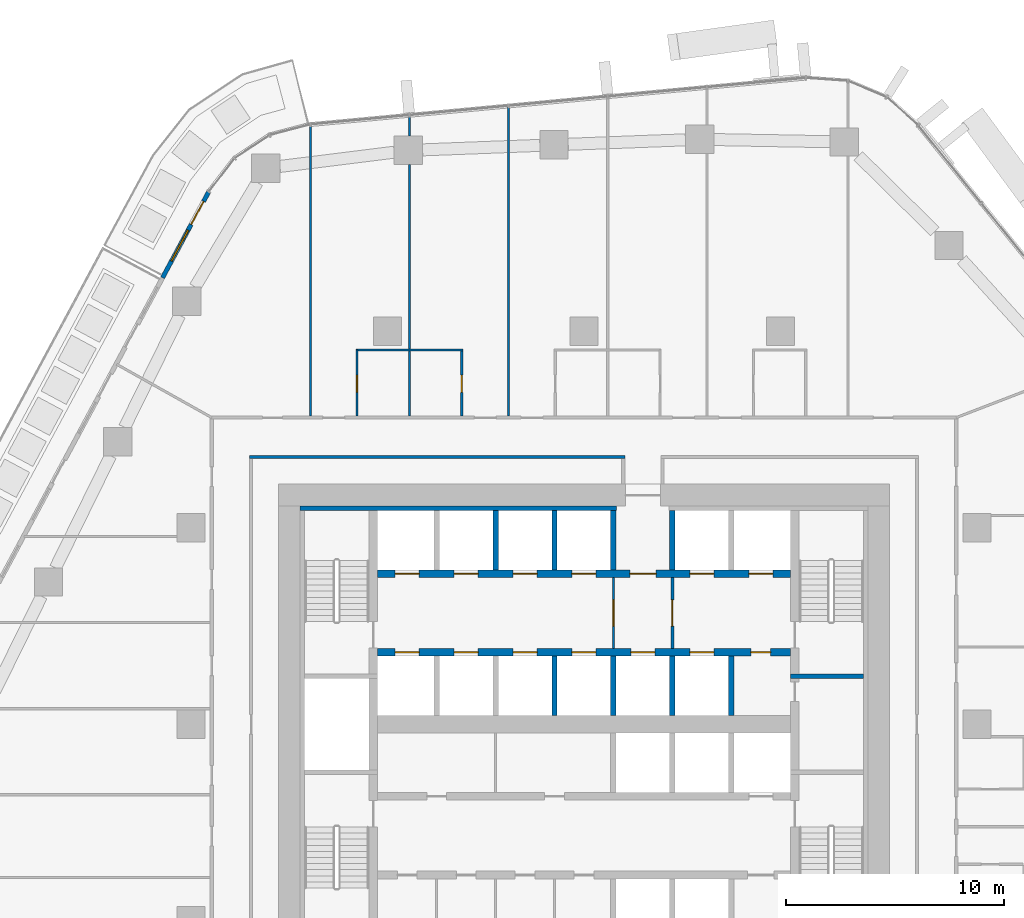
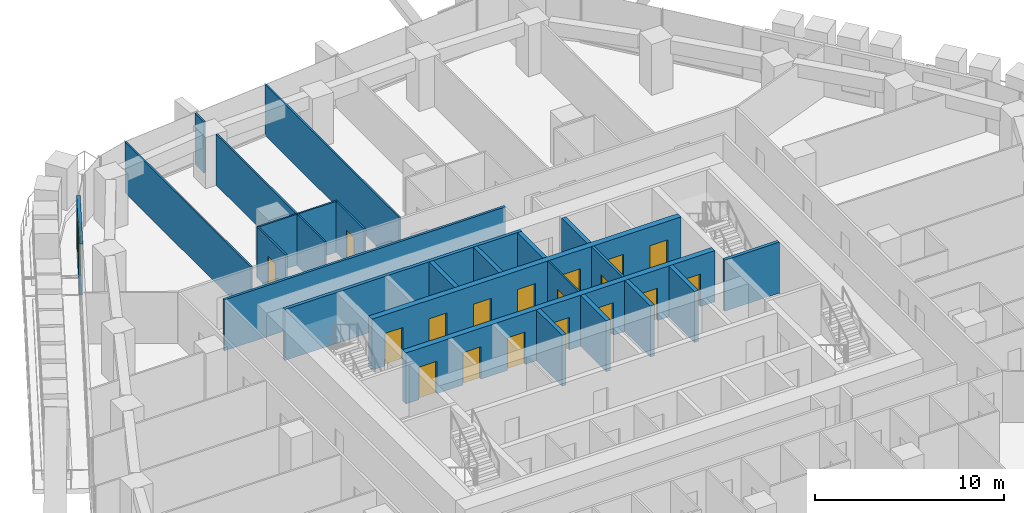
# One storey, part 15 of 23: 24 walls, 19 doors, 1 window, 20 openings.
"""IFC4 building model written with IfcOpenShell, lengths in metres."""

from ifc_helpers import new_model, si_unit, direction, frame, frame_2d, origin, place, context, subcontext, project, spatial, rectangle, extrude, material, layer, layer_set, type_object, element, fill, save


model = new_model("IFC4")

# Units and contexts
model_context = context("Model", 3, precision=1e-05, world=origin(), true_north=direction((0.0, 1.0)))
body_context = subcontext(model_context, "Body", "Model", "MODEL_VIEW")
ifc_project = project(units=[si_unit("LENGTHUNIT", "METRE"), si_unit("AREAUNIT", "SQUARE_METRE"), si_unit("VOLUMEUNIT", "CUBIC_METRE"), si_unit("PLANEANGLEUNIT", "RADIAN"), si_unit("MASSUNIT", "GRAM", prefix="KILO")], contexts=[model_context])

# Site, building, storey
site_placement = place(None, origin())
site = spatial("IfcSite", under=ifc_project, at=site_placement, CompositionType="ELEMENT")
building_placement = place(site_placement, origin())
building = spatial("IfcBuilding", under=site, at=building_placement, Name="Dongbaek Canopy Tower", CompositionType="ELEMENT")
storey_placement = place(building_placement, frame((0.0, 0.0, 121.10009765625)))
storey = spatial("IfcBuildingStorey", under=building, at=storey_placement, Name="L26", CompositionType="ELEMENT", Elevation=121.10009765625)

# Wall, openings, doors
ifc_material_1 = material(Name="Concrete C60/75", Category="concrete")
ifc_layer_1 = layer(ifc_material_1, 0.35009765625)
ifc_layer_set_1 = layer_set([ifc_layer_1], Name="Core lobby wall 350 Concrete C60/75")
wall_type_1 = type_object("IfcWallType", Name="Core lobby wall 350 Concrete C60/75", PredefinedType="SHEAR", material=ifc_layer_set_1)
wall_1_placement = place(storey_placement, frame((-9.449951171875, 6.89990234375, 0.0), z_axis=(0.0, 0.0, 1.0), x_axis=(1.0, 0.0, 0.0)))
wall_1 = element("IfcWall", 1, at=wall_1_placement, inside=storey, type_object=wall_type_1, Name="Core wall", PredefinedType="SHEAR", context=body_context, shape_type="SweptSolid", body=[
    extrude(rectangle(XDim=18.89990234375, YDim=0.35009765625, at=frame_2d((9.449951171875, 0.0))), origin(), (0.0, 0.0, 1.0), 3.2998046875),
])
opening_1_placement = place(wall_1_placement, frame((0.800048828125, 0.0, 0.0)))
opening_1 = element("IfcOpeningElement", 2, at=opening_1_placement, cuts=wall_1, Name="Opening L26-D044", PredefinedType="OPENING", context=body_context, shape_type="SweptSolid", body=[
    extrude(rectangle(XDim=1.10009765625, YDim=2.10009765625, at=frame_2d((0.550048828125, 1.050048828125))), frame((0.0, 0.18505859375, 0.0), z_axis=(0.0, -1.0, 0.0), x_axis=(1.0, 0.0, 0.0)), (0.0, 0.0, 1.0), 0.3701171875),
])
opening_2_placement = place(wall_1_placement, frame((3.5, 0.0, 0.0)))
opening_2 = element("IfcOpeningElement", 3, at=opening_2_placement, cuts=wall_1, Name="Opening L26-D045", PredefinedType="OPENING", context=body_context, shape_type="SweptSolid", body=[
    extrude(rectangle(XDim=1.10009765625, YDim=2.10009765625, at=frame_2d((0.550048828125, 1.050048828125))), frame((0.0, 0.18505859375, 0.0), z_axis=(0.0, -1.0, 0.0), x_axis=(1.0, 0.0, 0.0)), (0.0, 0.0, 1.0), 0.3701171875),
])
opening_3_placement = place(wall_1_placement, frame((6.199951171875, 0.0, 0.0)))
opening_3 = element("IfcOpeningElement", 4, at=opening_3_placement, cuts=wall_1, Name="Opening L26-D046", PredefinedType="OPENING", context=body_context, shape_type="SweptSolid", body=[
    extrude(rectangle(XDim=1.10009765625, YDim=2.10009765625, at=frame_2d((0.550048828125, 1.050048828125))), frame((0.0, 0.18505859375, 0.0), z_axis=(0.0, -1.0, 0.0), x_axis=(1.0, 0.0, 0.0)), (0.0, 0.0, 1.0), 0.3701171875),
])
opening_4_placement = place(wall_1_placement, frame((8.89990234375, 0.0, 0.0)))
opening_4 = element("IfcOpeningElement", 5, at=opening_4_placement, cuts=wall_1, Name="Opening L26-D047", PredefinedType="OPENING", context=body_context, shape_type="SweptSolid", body=[
    extrude(rectangle(XDim=1.10009765625, YDim=2.10009765625, at=frame_2d((0.550048828125, 1.050048828125))), frame((0.0, 0.18505859375, 0.0), z_axis=(0.0, -1.0, 0.0), x_axis=(1.0, 0.0, 0.0)), (0.0, 0.0, 1.0), 0.3701171875),
])
opening_5_placement = place(wall_1_placement, frame((11.550048828125, 0.0, 0.0)))
opening_5 = element("IfcOpeningElement", 6, at=opening_5_placement, cuts=wall_1, Name="Opening L26-D049", PredefinedType="OPENING", context=body_context, shape_type="SweptSolid", body=[
    extrude(rectangle(XDim=1.199951171875, YDim=2.10009765625, at=frame_2d((0.60009765625, 1.050048828125))), frame((0.0, 0.18505859375, 0.0), z_axis=(0.0, -1.0, 0.0), x_axis=(1.0, 0.0, 0.0)), (0.0, 0.0, 1.0), 0.3701171875),
])
opening_6_placement = place(wall_1_placement, frame((14.300048828125, 0.0, 0.0)))
opening_6 = element("IfcOpeningElement", 7, at=opening_6_placement, cuts=wall_1, Name="Opening L26-D050", PredefinedType="OPENING", context=body_context, shape_type="SweptSolid", body=[
    extrude(rectangle(XDim=1.10009765625, YDim=2.10009765625, at=frame_2d((0.550048828125, 1.050048828125))), frame((0.0, 0.18505859375, 0.0), z_axis=(0.0, -1.0, 0.0), x_axis=(1.0, 0.0, 0.0)), (0.0, 0.0, 1.0), 0.3701171875),
])
opening_7_placement = place(wall_1_placement, frame((17.0, 0.0, 0.0)))
opening_7 = element("IfcOpeningElement", 8, at=opening_7_placement, cuts=wall_1, Name="Opening L26-D051", PredefinedType="OPENING", context=body_context, shape_type="SweptSolid", body=[
    extrude(rectangle(XDim=1.10009765625, YDim=2.10009765625, at=frame_2d((0.550048828125, 1.050048828125))), frame((0.0, 0.18505859375, 0.0), z_axis=(0.0, -1.0, 0.0), x_axis=(1.0, 0.0, 0.0)), (0.0, 0.0, 1.0), 0.3701171875),
])
ifc_material_2 = material(Name="Steel", Category="steel")
door_type_1 = type_object("IfcDoorType", Name="Fire lobby door 1200 x 2100", OperationType="SINGLE_SWING_LEFT", PredefinedType="DOOR", material=ifc_material_2)
door_1_placement = place(opening_5_placement, origin())
door_1 = element("IfcDoor", 9, at=door_1_placement, inside=storey, type_object=door_type_1, Name="Door L26-D049", OperationType="SINGLE_SWING_LEFT", OverallHeight=2.10009765625, OverallWidth=1.199951171875, PredefinedType="DOOR", context=body_context, shape_type="SweptSolid", body=[
    extrude(rectangle(XDim=1.199951171875, YDim=2.10009765625, at=frame_2d((0.60009765625, 1.050048828125))), frame((0.0, 0.02490234375, 0.0), z_axis=(0.0, -1.0, 0.0), x_axis=(1.0, 0.0, 0.0)), (0.0, 0.0, 1.0), 0.050048828125),
])
fill(opening_5, door_1)
ifc_material_3 = material(Name="Stainless steel", Category="steel")
door_type_2 = type_object("IfcDoorType", Name="Lift landing door 1100 x 2100", OperationType="DOUBLE_DOOR_SLIDING", PredefinedType="DOOR", material=ifc_material_3)
door_2_placement = place(opening_1_placement, origin())
door_2 = element("IfcDoor", 10, at=door_2_placement, inside=storey, type_object=door_type_2, Name="Landing door LR1", OperationType="DOUBLE_DOOR_SLIDING", OverallHeight=2.10009765625, OverallWidth=1.10009765625, PredefinedType="DOOR", context=body_context, shape_type="SweptSolid", body=[
    extrude(rectangle(XDim=1.10009765625, YDim=2.10009765625, at=frame_2d((0.550048828125, 1.050048828125))), frame((0.0, 0.02490234375, 0.0), z_axis=(0.0, -1.0, 0.0), x_axis=(1.0, 0.0, 0.0)), (0.0, 0.0, 1.0), 0.050048828125),
])
fill(opening_1, door_2)
door_3_placement = place(opening_2_placement, origin())
door_3 = element("IfcDoor", 11, at=door_3_placement, inside=storey, type_object=door_type_2, Name="Landing door LR2", OperationType="DOUBLE_DOOR_SLIDING", OverallHeight=2.10009765625, OverallWidth=1.10009765625, PredefinedType="DOOR", context=body_context, shape_type="SweptSolid", body=[
    extrude(rectangle(XDim=1.10009765625, YDim=2.10009765625, at=frame_2d((0.550048828125, 1.050048828125))), frame((0.0, 0.02490234375, 0.0), z_axis=(0.0, -1.0, 0.0), x_axis=(1.0, 0.0, 0.0)), (0.0, 0.0, 1.0), 0.050048828125),
])
fill(opening_2, door_3)
door_4_placement = place(opening_3_placement, origin())
door_4 = element("IfcDoor", 12, at=door_4_placement, inside=storey, type_object=door_type_2, Name="Landing door LR3", OperationType="DOUBLE_DOOR_SLIDING", OverallHeight=2.10009765625, OverallWidth=1.10009765625, PredefinedType="DOOR", context=body_context, shape_type="SweptSolid", body=[
    extrude(rectangle(XDim=1.10009765625, YDim=2.10009765625, at=frame_2d((0.550048828125, 1.050048828125))), frame((0.0, 0.02490234375, 0.0), z_axis=(0.0, -1.0, 0.0), x_axis=(1.0, 0.0, 0.0)), (0.0, 0.0, 1.0), 0.050048828125),
])
fill(opening_3, door_4)
door_5_placement = place(opening_4_placement, origin())
door_5 = element("IfcDoor", 13, at=door_5_placement, inside=storey, type_object=door_type_2, Name="Landing door LR4", OperationType="DOUBLE_DOOR_SLIDING", OverallHeight=2.10009765625, OverallWidth=1.10009765625, PredefinedType="DOOR", context=body_context, shape_type="SweptSolid", body=[
    extrude(rectangle(XDim=1.10009765625, YDim=2.10009765625, at=frame_2d((0.550048828125, 1.050048828125))), frame((0.0, 0.02490234375, 0.0), z_axis=(0.0, -1.0, 0.0), x_axis=(1.0, 0.0, 0.0)), (0.0, 0.0, 1.0), 0.050048828125),
])
fill(opening_4, door_5)
door_6_placement = place(opening_6_placement, origin())
door_6 = element("IfcDoor", 14, at=door_6_placement, inside=storey, type_object=door_type_2, Name="Landing door FF1", OperationType="DOUBLE_DOOR_SLIDING", OverallHeight=2.10009765625, OverallWidth=1.10009765625, PredefinedType="DOOR", context=body_context, shape_type="SweptSolid", body=[
    extrude(rectangle(XDim=1.10009765625, YDim=2.10009765625, at=frame_2d((0.550048828125, 1.050048828125))), frame((0.0, 0.02490234375, 0.0), z_axis=(0.0, -1.0, 0.0), x_axis=(1.0, 0.0, 0.0)), (0.0, 0.0, 1.0), 0.050048828125),
])
fill(opening_6, door_6)
door_7_placement = place(opening_7_placement, origin())
door_7 = element("IfcDoor", 15, at=door_7_placement, inside=storey, type_object=door_type_2, Name="Landing door FF2", OperationType="DOUBLE_DOOR_SLIDING", OverallHeight=2.10009765625, OverallWidth=1.10009765625, PredefinedType="DOOR", context=body_context, shape_type="SweptSolid", body=[
    extrude(rectangle(XDim=1.10009765625, YDim=2.10009765625, at=frame_2d((0.550048828125, 1.050048828125))), frame((0.0, 0.02490234375, 0.0), z_axis=(0.0, -1.0, 0.0), x_axis=(1.0, 0.0, 0.0)), (0.0, 0.0, 1.0), 0.050048828125),
])
fill(opening_7, door_7)

wall_2_placement = place(storey_placement, frame((9.449951171875, 3.300048828125, 0.0), z_axis=(0.0, 0.0, 1.0), x_axis=(-1.0, 0.0, 0.0)))
wall_2 = element("IfcWall", 16, at=wall_2_placement, inside=storey, type_object=wall_type_1, Name="Core wall", PredefinedType="SHEAR", context=body_context, shape_type="SweptSolid", body=[
    extrude(rectangle(XDim=18.89990234375, YDim=0.35009765625, at=frame_2d((9.449951171875, 0.0))), origin(), (0.0, 0.0, 1.0), 3.2998046875),
])
opening_8_placement = place(wall_2_placement, frame((17.0, 0.0, 0.0)))
opening_8 = element("IfcOpeningElement", 17, at=opening_8_placement, cuts=wall_2, Name="Opening L26-D052", PredefinedType="OPENING", context=body_context, shape_type="SweptSolid", body=[
    extrude(rectangle(XDim=1.10009765625, YDim=2.10009765625, at=frame_2d((0.550048828125, 1.050048828125))), frame((0.0, 0.18505859375, 0.0), z_axis=(0.0, -1.0, 0.0), x_axis=(1.0, 0.0, 0.0)), (0.0, 0.0, 1.0), 0.3701171875),
])
opening_9_placement = place(wall_2_placement, frame((14.300048828125, 0.0, 0.0)))
opening_9 = element("IfcOpeningElement", 18, at=opening_9_placement, cuts=wall_2, Name="Opening L26-D053", PredefinedType="OPENING", context=body_context, shape_type="SweptSolid", body=[
    extrude(rectangle(XDim=1.10009765625, YDim=2.10009765625, at=frame_2d((0.550048828125, 1.050048828125))), frame((0.0, 0.18505859375, 0.0), z_axis=(0.0, -1.0, 0.0), x_axis=(1.0, 0.0, 0.0)), (0.0, 0.0, 1.0), 0.3701171875),
])
opening_10_placement = place(wall_2_placement, frame((11.60009765625, 0.0, 0.0)))
opening_10 = element("IfcOpeningElement", 19, at=opening_10_placement, cuts=wall_2, Name="Opening L26-D054", PredefinedType="OPENING", context=body_context, shape_type="SweptSolid", body=[
    extrude(rectangle(XDim=1.10009765625, YDim=2.10009765625, at=frame_2d((0.550048828125, 1.050048828125))), frame((0.0, 0.18505859375, 0.0), z_axis=(0.0, -1.0, 0.0), x_axis=(1.0, 0.0, 0.0)), (0.0, 0.0, 1.0), 0.3701171875),
])
opening_11_placement = place(wall_2_placement, frame((8.89990234375, 0.0, 0.0)))
opening_11 = element("IfcOpeningElement", 20, at=opening_11_placement, cuts=wall_2, Name="Opening L26-D055", PredefinedType="OPENING", context=body_context, shape_type="SweptSolid", body=[
    extrude(rectangle(XDim=1.10009765625, YDim=2.10009765625, at=frame_2d((0.550048828125, 1.050048828125))), frame((0.0, 0.18505859375, 0.0), z_axis=(0.0, -1.0, 0.0), x_axis=(1.0, 0.0, 0.0)), (0.0, 0.0, 1.0), 0.3701171875),
])
opening_12_placement = place(wall_2_placement, frame((6.199951171875, 0.0, 0.0)))
opening_12 = element("IfcOpeningElement", 21, at=opening_12_placement, cuts=wall_2, Name="Opening L26-D056", PredefinedType="OPENING", context=body_context, shape_type="SweptSolid", body=[
    extrude(rectangle(XDim=1.10009765625, YDim=2.10009765625, at=frame_2d((0.550048828125, 1.050048828125))), frame((0.0, 0.18505859375, 0.0), z_axis=(0.0, -1.0, 0.0), x_axis=(1.0, 0.0, 0.0)), (0.0, 0.0, 1.0), 0.3701171875),
])
opening_13_placement = place(wall_2_placement, frame((3.5, 0.0, 0.0)))
opening_13 = element("IfcOpeningElement", 22, at=opening_13_placement, cuts=wall_2, Name="Opening L26-D057", PredefinedType="OPENING", context=body_context, shape_type="SweptSolid", body=[
    extrude(rectangle(XDim=1.10009765625, YDim=2.10009765625, at=frame_2d((0.550048828125, 1.050048828125))), frame((0.0, 0.18505859375, 0.0), z_axis=(0.0, -1.0, 0.0), x_axis=(1.0, 0.0, 0.0)), (0.0, 0.0, 1.0), 0.3701171875),
])
opening_14_placement = place(wall_2_placement, frame((0.89990234375, 0.0, 0.0)))
opening_14 = element("IfcOpeningElement", 23, at=opening_14_placement, cuts=wall_2, Name="Opening L26-D058", PredefinedType="OPENING", context=body_context, shape_type="SweptSolid", body=[
    extrude(rectangle(XDim=0.89990234375, YDim=2.10009765625, at=frame_2d((0.449951171875, 1.050048828125))), frame((0.0, 0.18505859375, 0.0), z_axis=(0.0, -1.0, 0.0), x_axis=(1.0, 0.0, 0.0)), (0.0, 0.0, 1.0), 0.3701171875),
])
ifc_material_4 = material(Name="Steel", Category="steel")
door_type_3 = type_object("IfcDoorType", Name="Core room door 900 x 2100", OperationType="SINGLE_SWING_LEFT", PredefinedType="DOOR", material=ifc_material_4)
door_8_placement = place(opening_14_placement, origin())
door_8 = element("IfcDoor", 24, at=door_8_placement, inside=storey, type_object=door_type_3, Name="Door L26-D058", OperationType="SINGLE_SWING_LEFT", OverallHeight=2.10009765625, OverallWidth=0.89990234375, PredefinedType="DOOR", context=body_context, shape_type="SweptSolid", body=[
    extrude(rectangle(XDim=0.89990234375, YDim=2.10009765625, at=frame_2d((0.449951171875, 1.050048828125))), frame((0.0, 0.02490234375, 0.0), z_axis=(0.0, -1.0, 0.0), x_axis=(1.0, 0.0, 0.0)), (0.0, 0.0, 1.0), 0.050048828125),
])
fill(opening_14, door_8)
door_9_placement = place(opening_8_placement, origin())
door_9 = element("IfcDoor", 25, at=door_9_placement, inside=storey, type_object=door_type_2, Name="Landing door LR5", OperationType="DOUBLE_DOOR_SLIDING", OverallHeight=2.10009765625, OverallWidth=1.10009765625, PredefinedType="DOOR", context=body_context, shape_type="SweptSolid", body=[
    extrude(rectangle(XDim=1.10009765625, YDim=2.10009765625, at=frame_2d((0.550048828125, 1.050048828125))), frame((0.0, 0.02490234375, 0.0), z_axis=(0.0, -1.0, 0.0), x_axis=(1.0, 0.0, 0.0)), (0.0, 0.0, 1.0), 0.050048828125),
])
fill(opening_8, door_9)
door_10_placement = place(opening_9_placement, origin())
door_10 = element("IfcDoor", 26, at=door_10_placement, inside=storey, type_object=door_type_2, Name="Landing door LR6", OperationType="DOUBLE_DOOR_SLIDING", OverallHeight=2.10009765625, OverallWidth=1.10009765625, PredefinedType="DOOR", context=body_context, shape_type="SweptSolid", body=[
    extrude(rectangle(XDim=1.10009765625, YDim=2.10009765625, at=frame_2d((0.550048828125, 1.050048828125))), frame((0.0, 0.02490234375, 0.0), z_axis=(0.0, -1.0, 0.0), x_axis=(1.0, 0.0, 0.0)), (0.0, 0.0, 1.0), 0.050048828125),
])
fill(opening_9, door_10)
door_11_placement = place(opening_10_placement, origin())
door_11 = element("IfcDoor", 27, at=door_11_placement, inside=storey, type_object=door_type_2, Name="Landing door LR7", OperationType="DOUBLE_DOOR_SLIDING", OverallHeight=2.10009765625, OverallWidth=1.10009765625, PredefinedType="DOOR", context=body_context, shape_type="SweptSolid", body=[
    extrude(rectangle(XDim=1.10009765625, YDim=2.10009765625, at=frame_2d((0.550048828125, 1.050048828125))), frame((0.0, 0.02490234375, 0.0), z_axis=(0.0, -1.0, 0.0), x_axis=(1.0, 0.0, 0.0)), (0.0, 0.0, 1.0), 0.050048828125),
])
fill(opening_10, door_11)
door_12_placement = place(opening_11_placement, origin())
door_12 = element("IfcDoor", 28, at=door_12_placement, inside=storey, type_object=door_type_2, Name="Landing door LR8", OperationType="DOUBLE_DOOR_SLIDING", OverallHeight=2.10009765625, OverallWidth=1.10009765625, PredefinedType="DOOR", context=body_context, shape_type="SweptSolid", body=[
    extrude(rectangle(XDim=1.10009765625, YDim=2.10009765625, at=frame_2d((0.550048828125, 1.050048828125))), frame((0.0, 0.02490234375, 0.0), z_axis=(0.0, -1.0, 0.0), x_axis=(1.0, 0.0, 0.0)), (0.0, 0.0, 1.0), 0.050048828125),
])
fill(opening_11, door_12)
door_13_placement = place(opening_12_placement, origin())
door_13 = element("IfcDoor", 29, at=door_13_placement, inside=storey, type_object=door_type_2, Name="Landing door SV1", OperationType="DOUBLE_DOOR_SLIDING", OverallHeight=2.10009765625, OverallWidth=1.10009765625, PredefinedType="DOOR", context=body_context, shape_type="SweptSolid", body=[
    extrude(rectangle(XDim=1.10009765625, YDim=2.10009765625, at=frame_2d((0.550048828125, 1.050048828125))), frame((0.0, 0.02490234375, 0.0), z_axis=(0.0, -1.0, 0.0), x_axis=(1.0, 0.0, 0.0)), (0.0, 0.0, 1.0), 0.050048828125),
])
fill(opening_12, door_13)
door_14_placement = place(opening_13_placement, origin())
door_14 = element("IfcDoor", 30, at=door_14_placement, inside=storey, type_object=door_type_2, Name="Landing door FF3", OperationType="DOUBLE_DOOR_SLIDING", OverallHeight=2.10009765625, OverallWidth=1.10009765625, PredefinedType="DOOR", context=body_context, shape_type="SweptSolid", body=[
    extrude(rectangle(XDim=1.10009765625, YDim=2.10009765625, at=frame_2d((0.550048828125, 1.050048828125))), frame((0.0, 0.02490234375, 0.0), z_axis=(0.0, -1.0, 0.0), x_axis=(1.0, 0.0, 0.0)), (0.0, 0.0, 1.0), 0.050048828125),
])
fill(opening_13, door_14)

# Walls
ifc_material_5 = material(Name="Concrete C60/75", Category="concrete")
ifc_layer_2 = layer(ifc_material_5, 0.199951171875)
ifc_layer_set_2 = layer_set([ifc_layer_2], Name="Core wall lining 200 Concrete C60/75")
wall_type_2 = type_object("IfcWallType", Name="Core wall lining 200 Concrete C60/75", PredefinedType="SHEAR", material=ifc_layer_set_2)
wall_3_placement = place(storey_placement, frame((-13.0, 9.89990234375, 0.0), z_axis=(0.0, 0.0, 1.0), x_axis=(1.0, 0.0, 0.0)))
element("IfcWall", 31, at=wall_3_placement, inside=storey, type_object=wall_type_2, Name="Core wall lining", PredefinedType="SHEAR", context=body_context, shape_type="SweptSolid", body=[
    extrude(rectangle(XDim=14.5, YDim=0.199951171875, at=frame_2d((7.25, 0.0))), origin(), (0.0, 0.0, 1.0), 3.2998046875),
])
ifc_material_6 = material(Name="Gypsum board partition, steel stud, 2 x 15 mm fire board", Category="steel")
ifc_layer_3 = layer(ifc_material_6, 0.14990234375)
ifc_layer_set_3 = layer_set([ifc_layer_3], Name="Fire-rated partition 150 gypsum board")
wall_type_3 = type_object("IfcWallType", Name="Fire-rated partition 150 gypsum board", PredefinedType="PARTITIONING", material=ifc_layer_set_3)
wall_4_placement = place(storey_placement, frame((-15.324951171875, 12.25, 0.0), z_axis=(0.0, 0.0, 1.0), x_axis=(1.0, 0.0, 0.0)))
element("IfcWall", 32, at=wall_4_placement, inside=storey, type_object=wall_type_3, Name="Corridor partition", PredefinedType="PARTITIONING", context=body_context, shape_type="SweptSolid", body=[
    extrude(rectangle(XDim=17.199951171875, YDim=0.14990234375, at=frame_2d((8.60009765625, 0.0))), origin(), (0.0, 0.0, 1.0), 3.2998046875),
])

# Wall, opening, door
wall_5_placement = place(storey_placement, frame((4.050048828125, 6.72509765625, 0.0), z_axis=(0.0, 0.0, 1.0), x_axis=(0.0, -1.0, 0.0)))
wall_5 = element("IfcWall", 33, at=wall_5_placement, inside=storey, type_object=wall_type_3, Name="Fire lobby partition", PredefinedType="PARTITIONING", context=body_context, shape_type="SweptSolid", body=[
    extrude(rectangle(XDim=3.25, YDim=0.14990234375, at=frame_2d((1.625, 0.0))), origin(), (0.0, 0.0, 1.0), 3.2998046875),
])
opening_15_placement = place(wall_5_placement, frame((1.02490234375, 0.0, 0.0)))
opening_15 = element("IfcOpeningElement", 34, at=opening_15_placement, cuts=wall_5, Name="Opening L26-D073", PredefinedType="OPENING", context=body_context, shape_type="SweptSolid", body=[
    extrude(rectangle(XDim=1.199951171875, YDim=2.10009765625, at=frame_2d((0.60009765625, 1.050048828125))), frame((0.0, 0.0849609375, 0.0), z_axis=(0.0, -1.0, 0.0), x_axis=(1.0, 0.0, 0.0)), (0.0, 0.0, 1.0), 0.169921875),
])
door_15_placement = place(opening_15_placement, origin())
door_15 = element("IfcDoor", 35, at=door_15_placement, inside=storey, type_object=door_type_1, Name="Door L26-D073", OperationType="SINGLE_SWING_RIGHT", OverallHeight=2.10009765625, OverallWidth=1.199951171875, PredefinedType="DOOR", context=body_context, shape_type="SweptSolid", body=[
    extrude(rectangle(XDim=1.199951171875, YDim=2.10009765625, at=frame_2d((0.60009765625, 1.050048828125))), frame((0.0, 0.02490234375, 0.0), z_axis=(0.0, -1.0, 0.0), x_axis=(1.0, 0.0, 0.0)), (0.0, 0.0, 1.0), 0.050048828125),
])
fill(opening_15, door_15)

# Walls
ifc_material_7 = material(Name="Concrete C40/50", Category="concrete")
ifc_layer_4 = layer(ifc_material_7, 0.25)
ifc_layer_set_4 = layer_set([ifc_layer_4], Name="Lift shaft wall 250 Concrete C40/50")
wall_type_4 = type_object("IfcWallType", Name="Lift shaft wall 250 Concrete C40/50", PredefinedType="SOLIDWALL", material=ifc_layer_set_4)
for number, where, z_axis, x_axis, name in (
    (36, (6.75, 0.39990234375, 0.0), (0.0, 0.0, 1.0), (0.0, 1.0, 0.0), "Lift shaft wall"),
    (37, (4.050048828125, 0.39990234375, 0.0), (0.0, 0.0, 1.0), (0.0, 1.0, 0.0), "Lift shaft wall"),
    (38, (4.050048828125, 7.074951171875, 0.0), (0.0, 0.0, 1.0), (0.0, 1.0, 0.0), "Lift shaft wall"),
    (39, (1.35009765625, 0.39990234375, 0.0), (0.0, 0.0, 1.0), (0.0, 1.0, 0.0), "Lift shaft wall"),
    (40, (1.35009765625, 7.074951171875, 0.0), (0.0, 0.0, 1.0), (0.0, 1.0, 0.0), "Lift shaft wall"),
    (41, (-1.35009765625, 0.39990234375, 0.0), (0.0, 0.0, 1.0), (0.0, 1.0, 0.0), "Lift shaft wall"),
    (42, (-1.35009765625, 7.074951171875, 0.0), (0.0, 0.0, 1.0), (0.0, 1.0, 0.0), "Lift shaft wall"),
    (43, (-4.050048828125, 7.074951171875, 0.0), (0.0, 0.0, 1.0), (0.0, 1.0, 0.0), "Lift shaft wall"),
):
    element("IfcWall", number, at=place(storey_placement, frame(where, z_axis=z_axis, x_axis=x_axis)), inside=storey, type_object=wall_type_4, Name=name, PredefinedType="SOLIDWALL", context=body_context, shape_type="SweptSolid", body=[
        extrude(rectangle(XDim=2.72509765625, YDim=0.25, at=frame_2d((1.362548828125, 0.0))), origin(), (0.0, 0.0, 1.0), 3.2998046875),
    ])
ifc_material_8 = material(Name="Gypsum board partition, steel stud, 2 x 12.5 mm board", Category="steel")
ifc_layer_5 = layer(ifc_material_8, 0.10009765625)
ifc_layer_set_5 = layer_set([ifc_layer_5], Name="Partition 100 gypsum board")
wall_type_5 = type_object("IfcWallType", Name="Partition 100 gypsum board", PredefinedType="PARTITIONING", material=ifc_layer_set_5)
wall_6_placement = place(storey_placement, frame((-10.44677734375, 17.14990234375, 0.0), z_axis=(0.0, 0.0, 1.0), x_axis=(1.0, 0.0, 0.0)))
element("IfcWall", 44, at=wall_6_placement, inside=storey, type_object=wall_type_5, Name="Partition", PredefinedType="PARTITIONING", context=body_context, shape_type="SweptSolid", body=[
    extrude(rectangle(XDim=4.900146484375, YDim=0.10009765625, at=frame_2d((2.4501953125, 0.0))), origin(), (0.0, 0.0, 1.0), 3.2998046875),
])
wall_7_placement = place(storey_placement, frame((-3.455078125, 14.125, 0.0), z_axis=(0.0, 0.0, 1.0), x_axis=(0.0, 1.0, 0.0)))
element("IfcWall", 45, at=wall_7_placement, inside=storey, type_object=wall_type_5, Name="Partition", PredefinedType="PARTITIONING", context=body_context, shape_type="SweptSolid", body=[
    extrude(rectangle(XDim=14.1875, YDim=0.10009765625, at=frame_2d((7.09375, 0.0))), origin(), (0.0, 0.0, 1.0), 3.2998046875),
])

# Wall, opening, door
wall_8_placement = place(storey_placement, frame((-5.596923828125, 14.125, 0.0), z_axis=(0.0, 0.0, 1.0), x_axis=(0.0, 1.0, 0.0)))
wall_8 = element("IfcWall", 46, at=wall_8_placement, inside=storey, type_object=wall_type_5, Name="Partition", PredefinedType="PARTITIONING", context=body_context, shape_type="SweptSolid", body=[
    extrude(rectangle(XDim=2.97509765625, YDim=0.10009765625, at=frame_2d((1.487548828125, 0.0))), origin(), (0.0, 0.0, 1.0), 3.2998046875),
])
opening_16_placement = place(wall_8_placement, frame((1.074951171875, 0.0, 0.0)))
opening_16 = element("IfcOpeningElement", 47, at=opening_16_placement, cuts=wall_8, Name="Opening L26-D033", PredefinedType="OPENING", context=body_context, shape_type="SweptSolid", body=[
    extrude(rectangle(XDim=0.800048828125, YDim=2.10009765625, at=frame_2d((0.39990234375, 1.050048828125))), frame((0.0, 0.06005859375, 0.0), z_axis=(0.0, -1.0, 0.0), x_axis=(1.0, 0.0, 0.0)), (0.0, 0.0, 1.0), 0.1201171875),
])
ifc_material_9 = material(Name="Timber veneered door leaf", Category="wood")
door_type_4 = type_object("IfcDoorType", Name="En-suite door 800 x 2100", OperationType="SINGLE_SWING_LEFT", PredefinedType="DOOR", material=ifc_material_9)
door_16_placement = place(opening_16_placement, origin())
door_16 = element("IfcDoor", 48, at=door_16_placement, inside=storey, type_object=door_type_4, Name="Door L26-D033", OperationType="SINGLE_SWING_RIGHT", OverallHeight=2.10009765625, OverallWidth=0.800048828125, PredefinedType="DOOR", context=body_context, shape_type="SweptSolid", body=[
    extrude(rectangle(XDim=0.800048828125, YDim=2.10009765625, at=frame_2d((0.39990234375, 1.050048828125))), frame((0.0, 0.02490234375, 0.0), z_axis=(0.0, -1.0, 0.0), x_axis=(1.0, 0.0, 0.0)), (0.0, 0.0, 1.0), 0.050048828125),
])
fill(opening_16, door_16)

# Walls
wall_9_placement = place(storey_placement, frame((-7.9970703125, 14.125, 0.0), z_axis=(0.0, 0.0, 1.0), x_axis=(0.0, 1.0, 0.0)))
element("IfcWall", 49, at=wall_9_placement, inside=storey, type_object=wall_type_5, Name="Partition", PredefinedType="PARTITIONING", context=body_context, shape_type="SweptSolid", body=[
    extrude(rectangle(XDim=2.97509765625, YDim=0.10009765625, at=frame_2d((1.487548828125, 0.0))), origin(), (0.0, 0.0, 1.0), 3.2998046875),
])
wall_10_placement = place(storey_placement, frame((-7.9970703125, 17.199951171875, 0.0), z_axis=(0.0, 0.0, 1.0), x_axis=(0.0, 1.0, 0.0)))
element("IfcWall", 50, at=wall_10_placement, inside=storey, type_object=wall_type_5, Name="Partition", PredefinedType="PARTITIONING", context=body_context, shape_type="SweptSolid", body=[
    extrude(rectangle(XDim=8.43798828125, YDim=0.10009765625, at=frame_2d((4.218994140625, 0.0))), origin(), (0.0, 0.0, 1.0), 3.2998046875),
])
wall_11_placement = place(storey_placement, frame((-7.9970703125, 26.93798828125, 0.0), z_axis=(0.0, 0.0, 1.0), x_axis=(0.0, 1.0, 0.0)))
element("IfcWall", 51, at=wall_11_placement, inside=storey, type_object=wall_type_5, Name="Partition", PredefinedType="PARTITIONING", context=body_context, shape_type="SweptSolid", body=[
    extrude(rectangle(XDim=0.94873046875, YDim=0.10009765625, at=frame_2d((0.474365234375, 0.0))), origin(), (0.0, 0.0, 1.0), 3.2998046875),
])

# Wall, opening, door
wall_12_placement = place(storey_placement, frame((-10.39697265625, 17.14990234375, 0.0), z_axis=(0.0, 0.0, 1.0), x_axis=(0.0, -1.0, 0.0)))
wall_12 = element("IfcWall", 52, at=wall_12_placement, inside=storey, type_object=wall_type_5, Name="Partition", PredefinedType="PARTITIONING", context=body_context, shape_type="SweptSolid", body=[
    extrude(rectangle(XDim=3.02490234375, YDim=0.10009765625, at=frame_2d((1.512451171875, 0.0))), origin(), (0.0, 0.0, 1.0), 3.2998046875),
])
opening_17_placement = place(wall_12_placement, frame((1.14990234375, 0.0, 0.0)))
opening_17 = element("IfcOpeningElement", 53, at=opening_17_placement, cuts=wall_12, Name="Opening L26-D035", PredefinedType="OPENING", context=body_context, shape_type="SweptSolid", body=[
    extrude(rectangle(XDim=0.800048828125, YDim=2.10009765625, at=frame_2d((0.39990234375, 1.050048828125))), frame((0.0, 0.06005859375, 0.0), z_axis=(0.0, -1.0, 0.0), x_axis=(1.0, 0.0, 0.0)), (0.0, 0.0, 1.0), 0.1201171875),
])
door_17_placement = place(opening_17_placement, origin())
door_17 = element("IfcDoor", 54, at=door_17_placement, inside=storey, type_object=door_type_4, Name="Door L26-D035", OperationType="SINGLE_SWING_LEFT", OverallHeight=2.10009765625, OverallWidth=0.800048828125, PredefinedType="DOOR", context=body_context, shape_type="SweptSolid", body=[
    extrude(rectangle(XDim=0.800048828125, YDim=2.10009765625, at=frame_2d((0.39990234375, 1.050048828125))), frame((0.0, 0.02490234375, 0.0), z_axis=(0.0, -1.0, 0.0), x_axis=(1.0, 0.0, 0.0)), (0.0, 0.0, 1.0), 0.050048828125),
])
fill(opening_17, door_17)

# Wall
wall_13_placement = place(storey_placement, frame((-12.530029296875, 14.125, 0.0), z_axis=(0.0, 0.0, 1.0), x_axis=(0.0, 1.0, 0.0)))
element("IfcWall", 55, at=wall_13_placement, inside=storey, type_object=wall_type_5, Name="Partition", PredefinedType="PARTITIONING", context=body_context, shape_type="SweptSolid", body=[
    extrude(rectangle(XDim=13.335693359375, YDim=0.10009765625, at=frame_2d((6.66796875, 0.0))), origin(), (0.0, 0.0, 1.0), 3.2998046875),
])

# Wall, opening, door
wall_14_placement = place(storey_placement, frame((1.35009765625, 6.72509765625, 0.0), z_axis=(0.0, 0.0, 1.0), x_axis=(0.0, -1.0, 0.0)))
wall_14 = element("IfcWall", 56, at=wall_14_placement, inside=storey, type_object=wall_type_5, Name="Core partition", PredefinedType="PARTITIONING", context=body_context, shape_type="SweptSolid", body=[
    extrude(rectangle(XDim=3.25, YDim=0.10009765625, at=frame_2d((1.625, 0.0))), origin(), (0.0, 0.0, 1.0), 3.2998046875),
])
opening_18_placement = place(wall_14_placement, frame((1.02490234375, 0.0, 0.0)))
opening_18 = element("IfcOpeningElement", 57, at=opening_18_placement, cuts=wall_14, Name="Opening L26-D072", PredefinedType="OPENING", context=body_context, shape_type="SweptSolid", body=[
    extrude(rectangle(XDim=1.199951171875, YDim=2.10009765625, at=frame_2d((0.60009765625, 1.050048828125))), frame((0.0, 0.06005859375, 0.0), z_axis=(0.0, -1.0, 0.0), x_axis=(1.0, 0.0, 0.0)), (0.0, 0.0, 1.0), 0.1201171875),
])
door_18_placement = place(opening_18_placement, origin())
door_18 = element("IfcDoor", 58, at=door_18_placement, inside=storey, type_object=door_type_1, Name="Door L26-D072", OperationType="SINGLE_SWING_LEFT", OverallHeight=2.10009765625, OverallWidth=1.199951171875, PredefinedType="DOOR", context=body_context, shape_type="SweptSolid", body=[
    extrude(rectangle(XDim=1.199951171875, YDim=2.10009765625, at=frame_2d((0.60009765625, 1.050048828125))), frame((0.0, 0.02490234375, 0.0), z_axis=(0.0, -1.0, 0.0), x_axis=(1.0, 0.0, 0.0)), (0.0, 0.0, 1.0), 0.050048828125),
])
fill(opening_18, door_18)

# Wall
ifc_material_10 = material(Name="Concrete C60/75", Category="concrete")
ifc_layer_6 = layer(ifc_material_10, 0.199951171875)
ifc_layer_set_6 = layer_set([ifc_layer_6], Name="Riser wall 200 Concrete C60/75")
wall_type_6 = type_object("IfcWallType", Name="Riser wall 200 Concrete C60/75", PredefinedType="SHEAR", material=ifc_layer_set_6)
wall_15_placement = place(storey_placement, frame((9.449951171875, 2.199951171875, 0.0), z_axis=(0.0, 0.0, 1.0), x_axis=(1.0, 0.0, 0.0)))
element("IfcWall", 59, at=wall_15_placement, inside=storey, type_object=wall_type_6, Name="Riser wall", PredefinedType="SHEAR", context=body_context, shape_type="SweptSolid", body=[
    extrude(rectangle(XDim=3.35009765625, YDim=0.199951171875, at=frame_2d((1.675048828125, 0.0))), origin(), (0.0, 0.0, 1.0), 3.2998046875),
])

# Wall, openings, door, window
ifc_material_11 = material(Name="Aluminium window wall", Category="aluminium")
ifc_layer_7 = layer(ifc_material_11, 0.199951171875)
ifc_layer_set_7 = layer_set([ifc_layer_7], Name="Window wall 200")
wall_type_7 = type_object("IfcWallType", Name="Window wall 200", PredefinedType="SOLIDWALL", material=ifc_layer_set_7)
wall_16_placement = place(storey_placement, frame((-17.1884765625, 24.392333984375, 0.0), z_axis=(0.0, 0.0, 1.0), x_axis=(-0.473387015207, -0.88085454749, 0.0)))
wall_16 = element("IfcWall", 60, at=wall_16_placement, inside=storey, type_object=wall_type_7, Name="Window wall L26 6", PredefinedType="SOLIDWALL", context=body_context, shape_type="SweptSolid", body=[
    extrude(rectangle(XDim=4.473876953125, YDim=0.199951171875, at=frame_2d((2.23681640625, 0.0))), origin(), (0.0, 0.0, 1.0), 3.2998046875),
])
opening_19_placement = place(wall_16_placement, frame((2.0, 0.0, 0.60009765625)))
opening_19 = element("IfcOpeningElement", 61, at=opening_19_placement, cuts=wall_16, Name="Opening W1", PredefinedType="OPENING", context=body_context, shape_type="SweptSolid", body=[
    extrude(rectangle(XDim=1.60009765625, YDim=2.39990234375, at=frame_2d((0.800048828125, 1.199951171875))), frame((0.0, 0.10986328125, 0.0), z_axis=(0.0, -1.0, 0.0), x_axis=(1.0, 0.0, 0.0)), (0.0, 0.0, 1.0), 0.219970703125),
])
opening_20_placement = place(wall_16_placement, frame((0.5, 0.0, 0.0)))
opening_20 = element("IfcOpeningElement", 62, at=opening_20_placement, cuts=wall_16, Name="Opening L26-B08", PredefinedType="OPENING", context=body_context, shape_type="SweptSolid", body=[
    extrude(rectangle(XDim=1.199951171875, YDim=2.39990234375, at=frame_2d((0.60009765625, 1.199951171875))), frame((0.0, 0.10986328125, 0.0), z_axis=(0.0, -1.0, 0.0), x_axis=(1.0, 0.0, 0.0)), (0.0, 0.0, 1.0), 0.219970703125),
])
ifc_material_12 = material(Name="Clear glazing in aluminium frame", Category="aluminium")
door_type_5 = type_object("IfcDoorType", Name="Balcony door BD1 1200 x 2400", OperationType="SLIDING_TO_LEFT", PredefinedType="DOOR", material=ifc_material_12)
door_19_placement = place(opening_20_placement, origin())
door_19 = element("IfcDoor", 63, at=door_19_placement, inside=storey, type_object=door_type_5, Name="Balcony door L26-B08", OperationType="SLIDING_TO_LEFT", OverallHeight=2.39990234375, OverallWidth=1.199951171875, PredefinedType="DOOR", context=body_context, shape_type="SweptSolid", body=[
    extrude(rectangle(XDim=1.199951171875, YDim=2.39990234375, at=frame_2d((0.60009765625, 1.199951171875))), frame((0.0, 0.02490234375, 0.0), z_axis=(0.0, -1.0, 0.0), x_axis=(1.0, 0.0, 0.0)), (0.0, 0.0, 1.0), 0.050048828125),
])
fill(opening_20, door_19)
ifc_material_13 = material(Name="Clear glazing in aluminium frame", Category="aluminium")
window_type = type_object("IfcWindowType", Name="Window W1 1600 x 2400", PartitioningType="SINGLE_PANEL", PredefinedType="WINDOW", material=ifc_material_13)
window_placement = place(opening_19_placement, origin())
window = element("IfcWindow", 64, at=window_placement, inside=storey, type_object=window_type, Name="Window L26 6.1", OverallHeight=2.39990234375, OverallWidth=1.60009765625, PartitioningType="SINGLE_PANEL", PredefinedType="WINDOW", context=body_context, shape_type="SweptSolid", body=[
    extrude(rectangle(XDim=1.60009765625, YDim=2.39990234375, at=frame_2d((0.800048828125, 1.199951171875))), frame((0.0, 0.030029296875, 0.0), z_axis=(0.0, -1.0, 0.0), x_axis=(1.0, 0.0, 0.0)), (0.0, 0.0, 1.0), 0.06005859375),
])
fill(opening_19, window)

save(model, "model.ifc")
